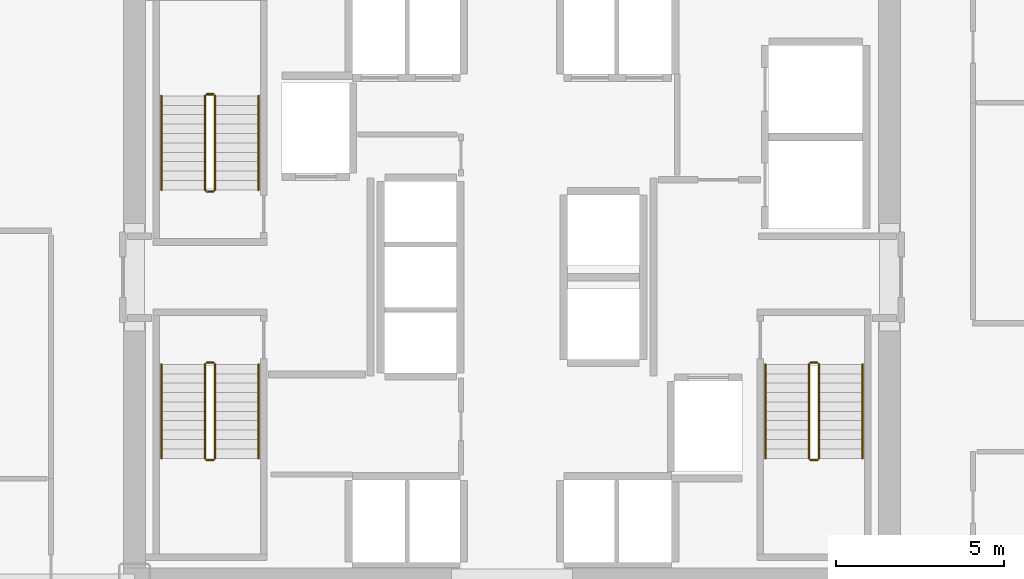
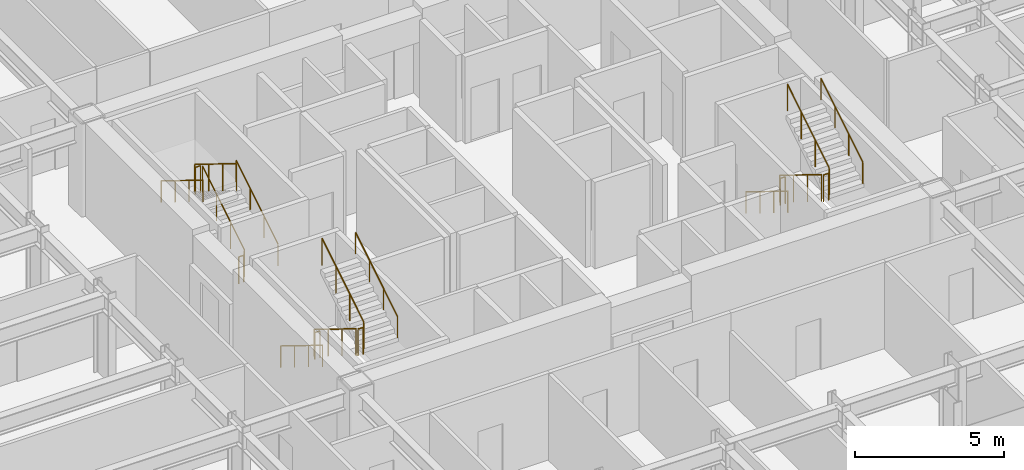
# One storey, part 26 of 26: 18 railings.
"""IFC4 building model written with IfcOpenShell, lengths in metres."""

from ifc_helpers import new_model, si_unit, direction, frame, origin, origin_2d, place, context, subcontext, project, spatial, circle, extrude, material, type_object, element, save


model = new_model("IFC4")

# Units and contexts
model_context = context("Model", 3, precision=1e-05, world=origin(), true_north=direction((0.0, 1.0)))
body_context = subcontext(model_context, "Body", "Model", "MODEL_VIEW")
ifc_project = project(units=[si_unit("LENGTHUNIT", "METRE"), si_unit("AREAUNIT", "SQUARE_METRE"), si_unit("VOLUMEUNIT", "CUBIC_METRE"), si_unit("PLANEANGLEUNIT", "RADIAN"), si_unit("MASSUNIT", "GRAM", prefix="KILO")], contexts=[model_context])

# Site, building, storey
site_placement = place(None, origin())
site = spatial("IfcSite", under=ifc_project, at=site_placement, CompositionType="ELEMENT")
building_placement = place(site_placement, origin())
building = spatial("IfcBuilding", under=site, at=building_placement, Name="Nefas-Gora Pilgrimage Tower", CompositionType="ELEMENT")
storey_placement = place(building_placement, frame((0.0, 0.0, 63.39990234375)))
storey = spatial("IfcBuildingStorey", under=building, at=storey_placement, Name="L14", CompositionType="ELEMENT", Elevation=63.39990234375)

# Railings
ifc_material_1 = material(Name="Painted galvanised steel", Category="steel")
railing_type_1 = type_object("IfcRailingType", Name="RLG-STR-GUARD-1100", PredefinedType="GUARDRAIL", material=ifc_material_1)
railing_1_placement = place(storey_placement, frame((-8.85009765625, 2.60009765625, 0.1728515625)))
element("IfcRailing", 1, at=railing_1_placement, inside=storey, type_object=railing_type_1, Name="L14 ST-01 stair guard 1", PredefinedType="GUARDRAIL", context=body_context, shape_type="SweptSolid", body=[
    extrude(circle(Radius=0.02392578125, at=origin_2d()), frame((0.0, 0.0, 1.09619140625), z_axis=(0.0, 0.851069175582, 0.525053576669), x_axis=(-1.0, 0.0, 0.0)), (0.0, 0.0, 1.0), 3.289794921875),
    extrude(circle(Radius=0.02099609375, at=origin_2d()), origin(), (0.0, 0.0, 1.0), 1.072021484375),
    extrude(circle(Radius=0.02099609375, at=origin_2d()), frame((0.0, 0.933349609375, 0.57568359375)), (0.0, 0.0, 1.0), 1.072021484375),
    extrude(circle(Radius=0.02099609375, at=origin_2d()), frame((0.0, 1.866455078125, 1.151611328125)), (0.0, 0.0, 1.0), 1.072021484375),
    extrude(circle(Radius=0.02099609375, at=origin_2d()), frame((0.0, 2.7998046875, 1.727294921875)), (0.0, 0.0, 1.0), 1.072021484375),
])
railing_2_placement = place(storey_placement, frame((-8.89990234375, 5.449951171875, 1.900146484375)))
element("IfcRailing", 2, at=railing_2_placement, inside=storey, type_object=railing_type_1, Name="L14 ST-01 stair guard 2", PredefinedType="GUARDRAIL", context=body_context, shape_type="SweptSolid", body=[
    extrude(circle(Radius=0.02392578125, at=origin_2d()), frame((0.0, 0.0, 1.09619140625), z_axis=(-1.0, 0.0, 0.0), x_axis=(0.0, -1.0, 0.0)), (0.0, 0.0, 1.0), 0.2001953125),
    extrude(circle(Radius=0.02099609375, at=origin_2d()), origin(), (0.0, 0.0, 1.0), 1.072021484375),
    extrude(circle(Radius=0.02099609375, at=origin_2d()), frame((-0.2001953125, 0.0, 0.0)), (0.0, 0.0, 1.0), 1.072021484375),
])
railing_3_placement = place(storey_placement, frame((-9.14990234375, 5.39990234375, 2.07275390625)))
element("IfcRailing", 3, at=railing_3_placement, inside=storey, type_object=railing_type_1, Name="L14 ST-01 stair guard 3", PredefinedType="GUARDRAIL", context=body_context, shape_type="SweptSolid", body=[
    extrude(circle(Radius=0.02392578125, at=origin_2d()), frame((0.0, 0.0, 1.09619140625), z_axis=(0.0, -0.851069175582, 0.525053576669), x_axis=(1.0, 0.0, 0.0)), (0.0, 0.0, 1.0), 3.289794921875),
    extrude(circle(Radius=0.02099609375, at=origin_2d()), origin(), (0.0, 0.0, 1.0), 1.072021484375),
    extrude(circle(Radius=0.02099609375, at=origin_2d()), frame((0.0, -0.933349609375, 0.57568359375)), (0.0, 0.0, 1.0), 1.072021484375),
    extrude(circle(Radius=0.02099609375, at=origin_2d()), frame((0.0, -1.866455078125, 1.151611328125)), (0.0, 0.0, 1.0), 1.072021484375),
    extrude(circle(Radius=0.02099609375, at=origin_2d()), frame((0.0, -2.7998046875, 1.727294921875)), (0.0, 0.0, 1.0), 1.072021484375),
])
railing_4_placement = place(storey_placement, frame((-8.89990234375, 2.550048828125, 0.0)))
element("IfcRailing", 4, at=railing_4_placement, inside=storey, type_object=railing_type_1, Name="L14 ST-01 stair guard 4", PredefinedType="GUARDRAIL", context=body_context, shape_type="SweptSolid", body=[
    extrude(circle(Radius=0.02392578125, at=origin_2d()), frame((0.0, 0.0, 1.09619140625), z_axis=(-1.0, 0.0, 0.0), x_axis=(0.0, -1.0, 0.0)), (0.0, 0.0, 1.0), 0.2001953125),
    extrude(circle(Radius=0.02099609375, at=origin_2d()), origin(), (0.0, 0.0, 1.0), 1.072021484375),
    extrude(circle(Radius=0.02099609375, at=origin_2d()), frame((-0.2001953125, 0.0, 0.0)), (0.0, 0.0, 1.0), 1.072021484375),
])
railing_5_placement = place(storey_placement, frame((8.85009765625, -2.60009765625, 0.1728515625)))
element("IfcRailing", 5, at=railing_5_placement, inside=storey, type_object=railing_type_1, Name="L14 ST-02 stair guard 1", PredefinedType="GUARDRAIL", context=body_context, shape_type="SweptSolid", body=[
    extrude(circle(Radius=0.02392578125, at=origin_2d()), frame((0.0, 0.0, 1.09619140625), z_axis=(0.0, -0.851069175582, 0.525053576669), x_axis=(1.0, 0.0, 0.0)), (0.0, 0.0, 1.0), 3.289794921875),
    extrude(circle(Radius=0.02099609375, at=origin_2d()), origin(), (0.0, 0.0, 1.0), 1.072021484375),
    extrude(circle(Radius=0.02099609375, at=origin_2d()), frame((0.0, -0.933349609375, 0.57568359375)), (0.0, 0.0, 1.0), 1.072021484375),
    extrude(circle(Radius=0.02099609375, at=origin_2d()), frame((0.0, -1.866455078125, 1.151611328125)), (0.0, 0.0, 1.0), 1.072021484375),
    extrude(circle(Radius=0.02099609375, at=origin_2d()), frame((0.0, -2.7998046875, 1.727294921875)), (0.0, 0.0, 1.0), 1.072021484375),
])
railing_6_placement = place(storey_placement, frame((8.89990234375, -5.449951171875, 1.900146484375)))
element("IfcRailing", 6, at=railing_6_placement, inside=storey, type_object=railing_type_1, Name="L14 ST-02 stair guard 2", PredefinedType="GUARDRAIL", context=body_context, shape_type="SweptSolid", body=[
    extrude(circle(Radius=0.02392578125, at=origin_2d()), frame((0.0, 0.0, 1.09619140625), z_axis=(1.0, 0.0, 0.0), x_axis=(0.0, 1.0, 0.0)), (0.0, 0.0, 1.0), 0.2001953125),
    extrude(circle(Radius=0.02099609375, at=origin_2d()), origin(), (0.0, 0.0, 1.0), 1.072021484375),
    extrude(circle(Radius=0.02099609375, at=origin_2d()), frame((0.2001953125, 0.0, 0.0)), (0.0, 0.0, 1.0), 1.072021484375),
])
railing_7_placement = place(storey_placement, frame((9.14990234375, -5.39990234375, 2.07275390625)))
element("IfcRailing", 7, at=railing_7_placement, inside=storey, type_object=railing_type_1, Name="L14 ST-02 stair guard 3", PredefinedType="GUARDRAIL", context=body_context, shape_type="SweptSolid", body=[
    extrude(circle(Radius=0.02392578125, at=origin_2d()), frame((0.0, 0.0, 1.09619140625), z_axis=(0.0, 0.851069175582, 0.525053576669), x_axis=(-1.0, 0.0, 0.0)), (0.0, 0.0, 1.0), 3.289794921875),
    extrude(circle(Radius=0.02099609375, at=origin_2d()), origin(), (0.0, 0.0, 1.0), 1.072021484375),
    extrude(circle(Radius=0.02099609375, at=origin_2d()), frame((0.0, 0.933349609375, 0.57568359375)), (0.0, 0.0, 1.0), 1.072021484375),
    extrude(circle(Radius=0.02099609375, at=origin_2d()), frame((0.0, 1.866455078125, 1.151611328125)), (0.0, 0.0, 1.0), 1.072021484375),
    extrude(circle(Radius=0.02099609375, at=origin_2d()), frame((0.0, 2.7998046875, 1.727294921875)), (0.0, 0.0, 1.0), 1.072021484375),
])
railing_8_placement = place(storey_placement, frame((8.89990234375, -2.550048828125, 0.0)))
element("IfcRailing", 8, at=railing_8_placement, inside=storey, type_object=railing_type_1, Name="L14 ST-02 stair guard 4", PredefinedType="GUARDRAIL", context=body_context, shape_type="SweptSolid", body=[
    extrude(circle(Radius=0.02392578125, at=origin_2d()), frame((0.0, 0.0, 1.09619140625), z_axis=(1.0, 0.0, 0.0), x_axis=(0.0, 1.0, 0.0)), (0.0, 0.0, 1.0), 0.2001953125),
    extrude(circle(Radius=0.02099609375, at=origin_2d()), origin(), (0.0, 0.0, 1.0), 1.072021484375),
    extrude(circle(Radius=0.02099609375, at=origin_2d()), frame((0.2001953125, 0.0, 0.0)), (0.0, 0.0, 1.0), 1.072021484375),
])
railing_9_placement = place(storey_placement, frame((-9.14990234375, -2.60009765625, 0.1728515625)))
element("IfcRailing", 9, at=railing_9_placement, inside=storey, type_object=railing_type_1, Name="L14 ST-03 stair guard 1", PredefinedType="GUARDRAIL", context=body_context, shape_type="SweptSolid", body=[
    extrude(circle(Radius=0.02392578125, at=origin_2d()), frame((0.0, 0.0, 1.09619140625), z_axis=(0.0, -0.851069175582, 0.525053576669), x_axis=(1.0, 0.0, 0.0)), (0.0, 0.0, 1.0), 3.289794921875),
    extrude(circle(Radius=0.02099609375, at=origin_2d()), origin(), (0.0, 0.0, 1.0), 1.072021484375),
    extrude(circle(Radius=0.02099609375, at=origin_2d()), frame((0.0, -0.933349609375, 0.57568359375)), (0.0, 0.0, 1.0), 1.072021484375),
    extrude(circle(Radius=0.02099609375, at=origin_2d()), frame((0.0, -1.866455078125, 1.151611328125)), (0.0, 0.0, 1.0), 1.072021484375),
    extrude(circle(Radius=0.02099609375, at=origin_2d()), frame((0.0, -2.7998046875, 1.727294921875)), (0.0, 0.0, 1.0), 1.072021484375),
])
railing_10_placement = place(storey_placement, frame((-9.10009765625, -5.449951171875, 1.900146484375)))
element("IfcRailing", 10, at=railing_10_placement, inside=storey, type_object=railing_type_1, Name="L14 ST-03 stair guard 2", PredefinedType="GUARDRAIL", context=body_context, shape_type="SweptSolid", body=[
    extrude(circle(Radius=0.02392578125, at=origin_2d()), frame((0.0, 0.0, 1.09619140625), z_axis=(1.0, 0.0, 0.0), x_axis=(0.0, 1.0, 0.0)), (0.0, 0.0, 1.0), 0.2001953125),
    extrude(circle(Radius=0.02099609375, at=origin_2d()), origin(), (0.0, 0.0, 1.0), 1.072021484375),
    extrude(circle(Radius=0.02099609375, at=origin_2d()), frame((0.2001953125, 0.0, 0.0)), (0.0, 0.0, 1.0), 1.072021484375),
])
railing_11_placement = place(storey_placement, frame((-8.85009765625, -5.39990234375, 2.07275390625)))
element("IfcRailing", 11, at=railing_11_placement, inside=storey, type_object=railing_type_1, Name="L14 ST-03 stair guard 3", PredefinedType="GUARDRAIL", context=body_context, shape_type="SweptSolid", body=[
    extrude(circle(Radius=0.02392578125, at=origin_2d()), frame((0.0, 0.0, 1.09619140625), z_axis=(0.0, 0.851069175582, 0.525053576669), x_axis=(-1.0, 0.0, 0.0)), (0.0, 0.0, 1.0), 3.289794921875),
    extrude(circle(Radius=0.02099609375, at=origin_2d()), origin(), (0.0, 0.0, 1.0), 1.072021484375),
    extrude(circle(Radius=0.02099609375, at=origin_2d()), frame((0.0, 0.933349609375, 0.57568359375)), (0.0, 0.0, 1.0), 1.072021484375),
    extrude(circle(Radius=0.02099609375, at=origin_2d()), frame((0.0, 1.866455078125, 1.151611328125)), (0.0, 0.0, 1.0), 1.072021484375),
    extrude(circle(Radius=0.02099609375, at=origin_2d()), frame((0.0, 2.7998046875, 1.727294921875)), (0.0, 0.0, 1.0), 1.072021484375),
])
railing_12_placement = place(storey_placement, frame((-9.10009765625, -2.550048828125, 0.0)))
element("IfcRailing", 12, at=railing_12_placement, inside=storey, type_object=railing_type_1, Name="L14 ST-03 stair guard 4", PredefinedType="GUARDRAIL", context=body_context, shape_type="SweptSolid", body=[
    extrude(circle(Radius=0.02392578125, at=origin_2d()), frame((0.0, 0.0, 1.09619140625), z_axis=(1.0, 0.0, 0.0), x_axis=(0.0, 1.0, 0.0)), (0.0, 0.0, 1.0), 0.2001953125),
    extrude(circle(Radius=0.02099609375, at=origin_2d()), origin(), (0.0, 0.0, 1.0), 1.072021484375),
    extrude(circle(Radius=0.02099609375, at=origin_2d()), frame((0.2001953125, 0.0, 0.0)), (0.0, 0.0, 1.0), 1.072021484375),
])
ifc_material_2 = material(Name="Brushed stainless steel", Category="steel")
railing_type_2 = type_object("IfcRailingType", Name="RLG-STR-HAND-900", PredefinedType="HANDRAIL", material=ifc_material_2)
railing_13_placement = place(storey_placement, frame((-7.550048828125, 2.60009765625, 0.1728515625)))
element("IfcRailing", 13, at=railing_13_placement, inside=storey, type_object=railing_type_2, Name="L14 ST-01 stair handrail 1", PredefinedType="HANDRAIL", context=body_context, shape_type="SweptSolid", body=[
    extrude(circle(Radius=0.02392578125, at=origin_2d()), frame((0.0, 0.0, 0.8759765625), z_axis=(0.0, 0.851069175582, 0.525053576669), x_axis=(-1.0, 0.0, 0.0)), (0.0, 0.0, 1.0), 3.289794921875),
    extrude(circle(Radius=0.02099609375, at=origin_2d()), origin(), (0.0, 0.0, 1.0), 0.851806640625),
    extrude(circle(Radius=0.02099609375, at=origin_2d()), frame((0.0, 0.933349609375, 0.57568359375)), (0.0, 0.0, 1.0), 0.851806640625),
    extrude(circle(Radius=0.02099609375, at=origin_2d()), frame((0.0, 1.866455078125, 1.151611328125)), (0.0, 0.0, 1.0), 0.851806640625),
    extrude(circle(Radius=0.02099609375, at=origin_2d()), frame((0.0, 2.7998046875, 1.727294921875)), (0.0, 0.0, 1.0), 0.851806640625),
])
for number, where, name in (
    (14, (-10.449951171875, 5.39990234375, 2.07275390625), "L14 ST-01 stair handrail 2"),
    (15, (7.550048828125, -2.60009765625, 0.1728515625), "L14 ST-02 stair handrail 1"),
):
    element("IfcRailing", number, at=place(storey_placement, frame(where)), inside=storey, type_object=railing_type_2, Name=name, PredefinedType="HANDRAIL", context=body_context, shape_type="SweptSolid", body=[
        extrude(circle(Radius=0.02392578125, at=origin_2d()), frame((0.0, 0.0, 0.8759765625), z_axis=(0.0, -0.851069175582, 0.525053576669), x_axis=(1.0, 0.0, 0.0)), (0.0, 0.0, 1.0), 3.289794921875),
        extrude(circle(Radius=0.02099609375, at=origin_2d()), origin(), (0.0, 0.0, 1.0), 0.851806640625),
        extrude(circle(Radius=0.02099609375, at=origin_2d()), frame((0.0, -0.933349609375, 0.57568359375)), (0.0, 0.0, 1.0), 0.851806640625),
        extrude(circle(Radius=0.02099609375, at=origin_2d()), frame((0.0, -1.866455078125, 1.151611328125)), (0.0, 0.0, 1.0), 0.851806640625),
        extrude(circle(Radius=0.02099609375, at=origin_2d()), frame((0.0, -2.7998046875, 1.727294921875)), (0.0, 0.0, 1.0), 0.851806640625),
    ])
railing_14_placement = place(storey_placement, frame((10.449951171875, -5.39990234375, 2.07275390625)))
element("IfcRailing", 16, at=railing_14_placement, inside=storey, type_object=railing_type_2, Name="L14 ST-02 stair handrail 2", PredefinedType="HANDRAIL", context=body_context, shape_type="SweptSolid", body=[
    extrude(circle(Radius=0.02392578125, at=origin_2d()), frame((0.0, 0.0, 0.8759765625), z_axis=(0.0, 0.851069175582, 0.525053576669), x_axis=(-1.0, 0.0, 0.0)), (0.0, 0.0, 1.0), 3.289794921875),
    extrude(circle(Radius=0.02099609375, at=origin_2d()), origin(), (0.0, 0.0, 1.0), 0.851806640625),
    extrude(circle(Radius=0.02099609375, at=origin_2d()), frame((0.0, 0.933349609375, 0.57568359375)), (0.0, 0.0, 1.0), 0.851806640625),
    extrude(circle(Radius=0.02099609375, at=origin_2d()), frame((0.0, 1.866455078125, 1.151611328125)), (0.0, 0.0, 1.0), 0.851806640625),
    extrude(circle(Radius=0.02099609375, at=origin_2d()), frame((0.0, 2.7998046875, 1.727294921875)), (0.0, 0.0, 1.0), 0.851806640625),
])
railing_15_placement = place(storey_placement, frame((-10.449951171875, -2.60009765625, 0.1728515625)))
element("IfcRailing", 17, at=railing_15_placement, inside=storey, type_object=railing_type_2, Name="L14 ST-03 stair handrail 1", PredefinedType="HANDRAIL", context=body_context, shape_type="SweptSolid", body=[
    extrude(circle(Radius=0.02392578125, at=origin_2d()), frame((0.0, 0.0, 0.8759765625), z_axis=(0.0, -0.851069175582, 0.525053576669), x_axis=(1.0, 0.0, 0.0)), (0.0, 0.0, 1.0), 3.289794921875),
    extrude(circle(Radius=0.02099609375, at=origin_2d()), origin(), (0.0, 0.0, 1.0), 0.851806640625),
    extrude(circle(Radius=0.02099609375, at=origin_2d()), frame((0.0, -0.933349609375, 0.57568359375)), (0.0, 0.0, 1.0), 0.851806640625),
    extrude(circle(Radius=0.02099609375, at=origin_2d()), frame((0.0, -1.866455078125, 1.151611328125)), (0.0, 0.0, 1.0), 0.851806640625),
    extrude(circle(Radius=0.02099609375, at=origin_2d()), frame((0.0, -2.7998046875, 1.727294921875)), (0.0, 0.0, 1.0), 0.851806640625),
])
railing_16_placement = place(storey_placement, frame((-7.550048828125, -5.39990234375, 2.07275390625)))
element("IfcRailing", 18, at=railing_16_placement, inside=storey, type_object=railing_type_2, Name="L14 ST-03 stair handrail 2", PredefinedType="HANDRAIL", context=body_context, shape_type="SweptSolid", body=[
    extrude(circle(Radius=0.02392578125, at=origin_2d()), frame((0.0, 0.0, 0.8759765625), z_axis=(0.0, 0.851069175582, 0.525053576669), x_axis=(-1.0, 0.0, 0.0)), (0.0, 0.0, 1.0), 3.289794921875),
    extrude(circle(Radius=0.02099609375, at=origin_2d()), origin(), (0.0, 0.0, 1.0), 0.851806640625),
    extrude(circle(Radius=0.02099609375, at=origin_2d()), frame((0.0, 0.933349609375, 0.57568359375)), (0.0, 0.0, 1.0), 0.851806640625),
    extrude(circle(Radius=0.02099609375, at=origin_2d()), frame((0.0, 1.866455078125, 1.151611328125)), (0.0, 0.0, 1.0), 0.851806640625),
    extrude(circle(Radius=0.02099609375, at=origin_2d()), frame((0.0, 2.7998046875, 1.727294921875)), (0.0, 0.0, 1.0), 0.851806640625),
])

save(model, "model.ifc")
